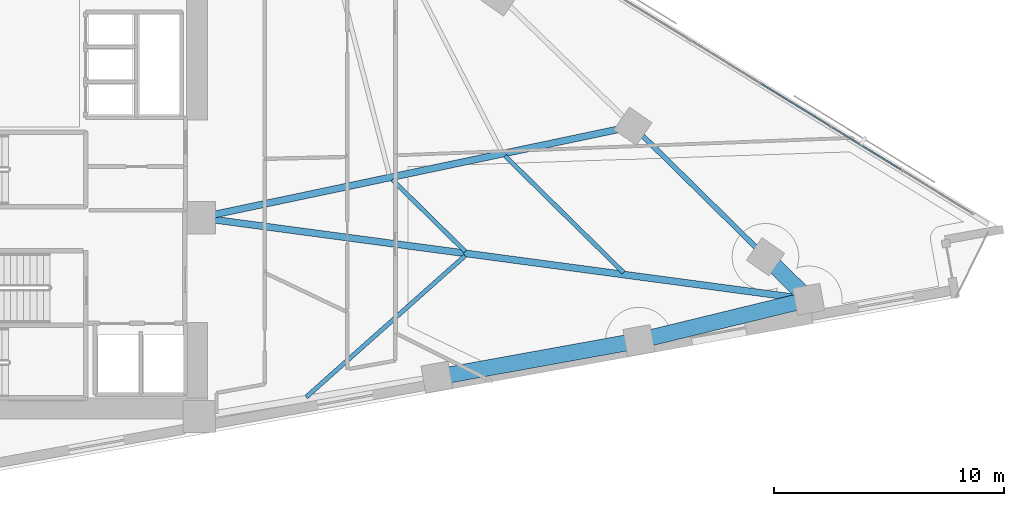
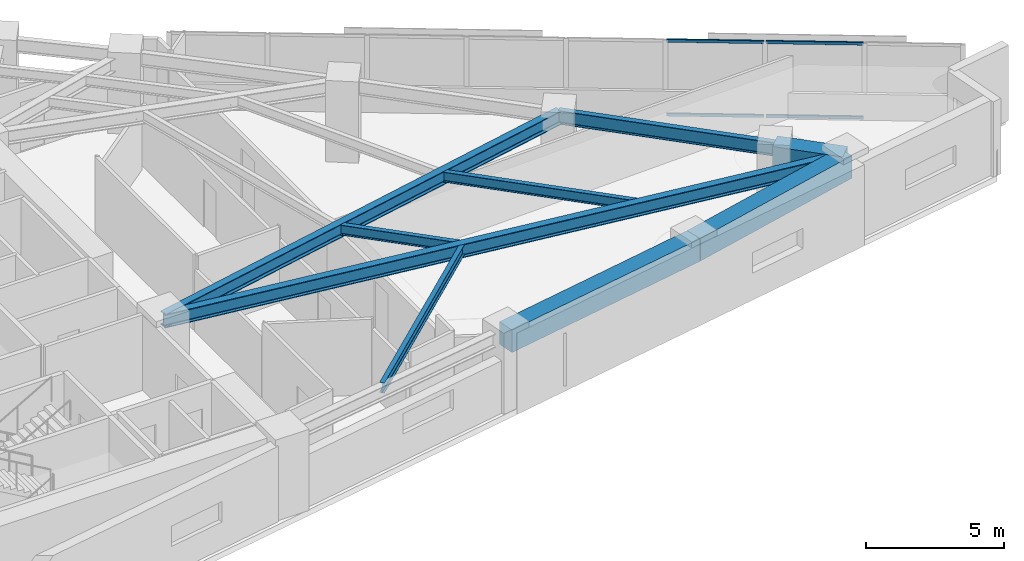
# One storey, part 3 of 19: 9 beams, 4 members, 1 element without a shape of its own.
"""IFC4 building model written with IfcOpenShell, lengths in metres."""

from ifc_helpers import new_model, si_unit, direction, frame, origin, origin_2d, place, context, subcontext, project, spatial, rectangle, hollow_rectangle, i_section, extrude, material, material_profile, profile_set, type_object, element, aggregate, save


model = new_model("IFC4")

# Units and contexts
model_context = context("Model", 3, precision=1e-05, world=origin(), true_north=direction((0.0, 1.0)))
body_context = subcontext(model_context, "Body", "Model", "MODEL_VIEW")
ifc_project = project(units=[si_unit("LENGTHUNIT", "METRE"), si_unit("AREAUNIT", "SQUARE_METRE"), si_unit("VOLUMEUNIT", "CUBIC_METRE"), si_unit("PLANEANGLEUNIT", "RADIAN"), si_unit("MASSUNIT", "GRAM", prefix="KILO")], contexts=[model_context])

# Site, building, storey
site_placement = place(None, origin())
site = spatial("IfcSite", under=ifc_project, at=site_placement, CompositionType="ELEMENT")
building_placement = place(site_placement, origin())
building = spatial("IfcBuilding", under=site, at=building_placement, Name="Narakoshi Arena Tower", CompositionType="ELEMENT")
storey_placement = place(building_placement, frame((0.0, 0.0, 113.699951171875)))
storey = spatial("IfcBuildingStorey", under=building, at=storey_placement, Name="L30", CompositionType="ELEMENT", Elevation=113.699951171875)

# Beams
ifc_material_1 = material(Name="Concrete C60/75", Category="concrete")
ifc_material_profile_1 = material_profile(ifc_material_1, rectangle(XDim=0.699951171875, YDim=1.0, at=origin_2d()), Name="RCB700x1000")
ifc_profile_set_1 = profile_set([ifc_material_profile_1], Name="Concrete C60/75")
beam_type_1 = type_object("IfcBeamType", Name="BM-CPL-1000", PredefinedType="BEAM", material=ifc_profile_set_1)
beam_1_placement = place(storey_placement, frame((95.89013671875, 36.411865234375, 2.840087890625), z_axis=(0.984043032412, 0.177930633565, 0.0), x_axis=(-0.177930633565, 0.984043032412, 0.0)))
element("IfcBeam", 1, at=beam_1_placement, inside=storey, type_object=beam_type_1, Name="L30 Perimeter Edge Girder 01", PredefinedType="BEAM", context=body_context, shape_type="SweptSolid", body=[
    extrude(rectangle(XDim=0.699951171875, YDim=1.0, at=origin_2d()), origin(), (0.0, 0.0, 1.0), 8.933837890625),
])
beam_2_placement = place(storey_placement, frame((104.681396484375, 38.00146484375, 2.840087890625), z_axis=(0.971695296423, 0.236237700019, 0.0), x_axis=(-0.236237700019, 0.971695296423, 0.0)))
element("IfcBeam", 2, at=beam_2_placement, inside=storey, type_object=beam_type_1, Name="L30 Perimeter Edge Girder 02", PredefinedType="BEAM", context=body_context, shape_type="SweptSolid", body=[
    extrude(rectangle(XDim=0.699951171875, YDim=1.0, at=origin_2d()), origin(), (0.0, 0.0, 1.0), 7.604248046875),
])
beam_3_placement = place(storey_placement, frame((112.0703125, 39.7978515625, 2.840087890625), z_axis=(-0.712541924106, 0.70162953643, 0.0), x_axis=(-0.70162953643, -0.712541924106, 0.0)))
element("IfcBeam", 3, at=beam_3_placement, inside=storey, type_object=beam_type_1, Name="L30 Perimeter Edge Girder 03", PredefinedType="BEAM", context=body_context, shape_type="SweptSolid", body=[
    extrude(rectangle(XDim=0.699951171875, YDim=1.0, at=origin_2d()), origin(), (0.0, 0.0, 1.0), 2.639892578125),
])
ifc_material_2 = material(Name="Structural steel S355J2", Category="steel")
ifc_material_profile_2 = material_profile(ifc_material_2, i_section(OverallWidth=0.219970703125, OverallDepth=0.60009765625, WebThickness=0.011962890625, FlangeThickness=0.01904296875, FilletRadius=0.02392578125, at=origin_2d()), Name="IPE600")
ifc_profile_set_2 = profile_set([ifc_material_profile_2], Name="Structural steel S355J2")
beam_type_2 = type_object("IfcBeamType", Name="BM-EDGE-600", PredefinedType="BEAM", material=ifc_profile_set_2)
beam_4_placement = place(storey_placement, frame((110.189208984375, 41.650146484375, 3.0400390625), z_axis=(-0.712543857268, 0.701627573196, 0.0), x_axis=(-0.701627573196, -0.712543857268, 0.0)))
element("IfcBeam", 4, at=beam_4_placement, inside=storey, type_object=beam_type_2, Name="L30 Perimeter Edge Girder 04", PredefinedType="BEAM", context=body_context, shape_type="SweptSolid", body=[
    extrude(i_section(OverallWidth=0.219970703125, OverallDepth=0.60009765625, WebThickness=0.011962890625, FlangeThickness=0.01904296875, FilletRadius=0.02392578125, at=origin_2d()), origin(), (0.0, 0.0, 1.0), 8.095947265625),
])
ifc_material_profile_3 = material_profile(ifc_material_2, i_section(OverallWidth=0.300048828125, OverallDepth=0.60009765625, WebThickness=0.015380859375, FlangeThickness=0.030029296875, FilletRadius=0.027099609375, at=origin_2d()), Name="HE600B")
ifc_profile_set_3 = profile_set([ifc_material_profile_3], Name="Structural steel S355J2")
beam_type_3 = type_object("IfcBeamType", Name="BM-PRI-600", PredefinedType="BEAM", material=ifc_profile_set_3)
beam_5_placement = place(storey_placement, frame((85.550048828125, 43.35009765625, 3.0400390625), z_axis=(0.991148352242, -0.132758968996, 0.0), x_axis=(0.132758968996, 0.991148352242, 0.0)))
element("IfcBeam", 5, at=beam_5_placement, inside=storey, type_object=beam_type_3, Name="L30 Radial Primary Floor Girder 03", PredefinedType="BEAM", context=body_context, shape_type="SweptSolid", body=[
    extrude(i_section(OverallWidth=0.300048828125, OverallDepth=0.60009765625, WebThickness=0.015380859375, FlangeThickness=0.030029296875, FilletRadius=0.027099609375, at=origin_2d()), origin(), (0.0, 0.0, 1.0), 26.757080078125),
])
beam_6_placement = place(storey_placement, frame((85.550048828125, 43.35009765625, 3.0400390625), z_axis=(0.978468582694, 0.206395815562, 0.0), x_axis=(-0.206395815562, 0.978468582694, 0.0)))
element("IfcBeam", 6, at=beam_6_placement, inside=storey, type_object=beam_type_3, Name="L30 Radial Primary Floor Girder 05", PredefinedType="BEAM", context=body_context, shape_type="SweptSolid", body=[
    extrude(i_section(OverallWidth=0.300048828125, OverallDepth=0.60009765625, WebThickness=0.015380859375, FlangeThickness=0.030029296875, FilletRadius=0.027099609375, at=origin_2d()), origin(), (0.0, 0.0, 1.0), 19.28564453125),
])
ifc_material_profile_4 = material_profile(ifc_material_2, i_section(OverallWidth=0.18994140625, OverallDepth=0.449951171875, WebThickness=0.009521484375, FlangeThickness=0.0146484375, FilletRadius=0.02099609375, at=origin_2d()), Name="IPE450")
ifc_profile_set_4 = profile_set([ifc_material_profile_4], Name="Structural steel S355J2")
beam_type_4 = type_object("IfcBeamType", Name="BM-SEC-450", PredefinedType="JOIST", material=ifc_profile_set_4)
beam_7_placement = place(storey_placement, frame((90.200439453125, 35.54296875, 3.114990234375), z_axis=(0.747129936422, 0.664678010846, 0.0), x_axis=(-0.664678010846, 0.747129936422, 0.0)))
element("IfcBeam", 7, at=beam_7_placement, inside=storey, type_object=beam_type_4, Name="L30 Composite Secondary Floor Joist 01", PredefinedType="JOIST", context=body_context, shape_type="SweptSolid", body=[
    extrude(i_section(OverallWidth=0.18994140625, OverallDepth=0.449951171875, WebThickness=0.009521484375, FlangeThickness=0.0146484375, FilletRadius=0.02099609375, at=origin_2d()), origin(), (0.0, 0.0, 1.0), 9.259033203125),
])
beam_8_placement = place(storey_placement, frame((97.122802734375, 41.8818359375, 3.114990234375), z_axis=(-0.712567241067, 0.701603824788, 0.0), x_axis=(-0.701603824788, -0.712567241067, 0.0)))
element("IfcBeam", 8, at=beam_8_placement, inside=storey, type_object=beam_type_4, Name="L30 Composite Secondary Floor Joist 02", PredefinedType="JOIST", context=body_context, shape_type="SweptSolid", body=[
    extrude(i_section(OverallWidth=0.18994140625, OverallDepth=0.449951171875, WebThickness=0.009521484375, FlangeThickness=0.0146484375, FilletRadius=0.02099609375, at=origin_2d()), origin(), (0.0, 0.0, 1.0), 4.45361328125),
])
beam_9_placement = place(storey_placement, frame((104.01806640625, 40.958251953125, 3.114990234375), z_axis=(-0.712561376684, 0.70160978076, 0.0), x_axis=(-0.70160978076, -0.712561376684, 0.0)))
element("IfcBeam", 9, at=beam_9_placement, inside=storey, type_object=beam_type_4, Name="L30 Composite Secondary Floor Joist 03", PredefinedType="JOIST", context=body_context, shape_type="SweptSolid", body=[
    extrude(i_section(OverallWidth=0.18994140625, OverallDepth=0.449951171875, WebThickness=0.009521484375, FlangeThickness=0.0146484375, FilletRadius=0.02099609375, at=origin_2d()), origin(), (0.0, 0.0, 1.0), 7.2451171875),
])

# Curtain wall, members
ifc_material_3 = material(Name="Anodised bronze aluminium 6063-T6", Category="aluminium")
curtain_wall_type = type_object("IfcCurtainWallType", Name="CW-HYP-LOW", PredefinedType="NOTDEFINED", material=ifc_material_3)
curtain_wall_placement = place(storey_placement, origin())
curtain_wall = element("IfcCurtainWall", 10, at=curtain_wall_placement, inside=storey, type_object=curtain_wall_type, Name="L30 Folded Hypotenuse Curtain Wall 1-1", PredefinedType="NOTDEFINED")
ifc_material_profile_5 = material_profile(ifc_material_3, hollow_rectangle(XDim=0.06494140625, YDim=0.1298828125, WallThickness=0.00390625, OuterFilletRadius=0.0048828125, at=origin_2d()), Name="TRN130x65x4")
ifc_profile_set_5 = profile_set([ifc_material_profile_5], Name="Anodised bronze aluminium 6063-T6")
member_type = type_object("IfcMemberType", Name="MEM-TRN-130", PredefinedType="USERDEFINED", material=ifc_profile_set_5)
member_1_placement = place(storey_placement, frame((116.085693359375, 45.4384765625, 0.032470703125), z_axis=(-0.852103699909, 0.523372988032, 0.0), x_axis=(-0.523372988032, -0.852103699909, 0.0)))
member_1 = element("IfcMember", 11, at=member_1_placement, type_object=member_type, Name="CW-01 transom 2.1", ObjectType="TRANSOM", PredefinedType="USERDEFINED", context=body_context, shape_type="SweptSolid", body=[
    extrude(hollow_rectangle(XDim=0.06494140625, YDim=0.1298828125, WallThickness=0.00390625, OuterFilletRadius=0.0048828125, at=origin_2d()), origin(), (0.0, 0.0, 1.0), 3.535888671875),
])
member_2_placement = place(storey_placement, frame((116.085693359375, 45.4384765625, 3.3076171875), z_axis=(-0.852103699909, 0.523372988032, 0.0), x_axis=(-0.523372988032, -0.852103699909, 0.0)))
member_2 = element("IfcMember", 12, at=member_2_placement, type_object=member_type, Name="CW-01 transom 2.2", ObjectType="TRANSOM", PredefinedType="USERDEFINED", context=body_context, shape_type="SweptSolid", body=[
    extrude(hollow_rectangle(XDim=0.06494140625, YDim=0.1298828125, WallThickness=0.00390625, OuterFilletRadius=0.0048828125, at=origin_2d()), origin(), (0.0, 0.0, 1.0), 3.535888671875),
])
member_3_placement = place(storey_placement, frame((113.0087890625, 47.328125, 0.032470703125), z_axis=(-0.852103699909, 0.523372988032, 0.0), x_axis=(-0.523372988032, -0.852103699909, 0.0)))
member_3 = element("IfcMember", 13, at=member_3_placement, type_object=member_type, Name="CW-01 transom 3.1", ObjectType="TRANSOM", PredefinedType="USERDEFINED", context=body_context, shape_type="SweptSolid", body=[
    extrude(hollow_rectangle(XDim=0.06494140625, YDim=0.1298828125, WallThickness=0.00390625, OuterFilletRadius=0.0048828125, at=origin_2d()), origin(), (0.0, 0.0, 1.0), 3.535888671875),
])
member_4_placement = place(storey_placement, frame((113.0087890625, 47.328125, 3.3076171875), z_axis=(-0.852103699909, 0.523372988032, 0.0), x_axis=(-0.523372988032, -0.852103699909, 0.0)))
member_4 = element("IfcMember", 14, at=member_4_placement, type_object=member_type, Name="CW-01 transom 3.2", ObjectType="TRANSOM", PredefinedType="USERDEFINED", context=body_context, shape_type="SweptSolid", body=[
    extrude(hollow_rectangle(XDim=0.06494140625, YDim=0.1298828125, WallThickness=0.00390625, OuterFilletRadius=0.0048828125, at=origin_2d()), origin(), (0.0, 0.0, 1.0), 3.535888671875),
])
aggregate(curtain_wall, [member_1, member_2, member_3, member_4])

save(model, "model.ifc")
